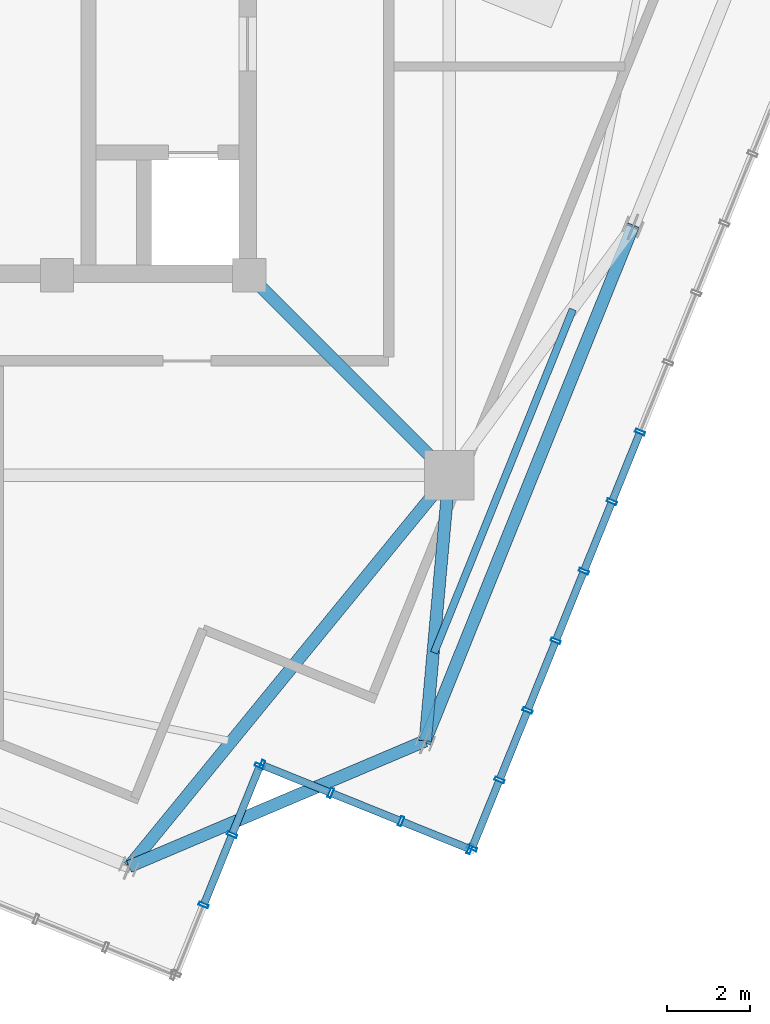
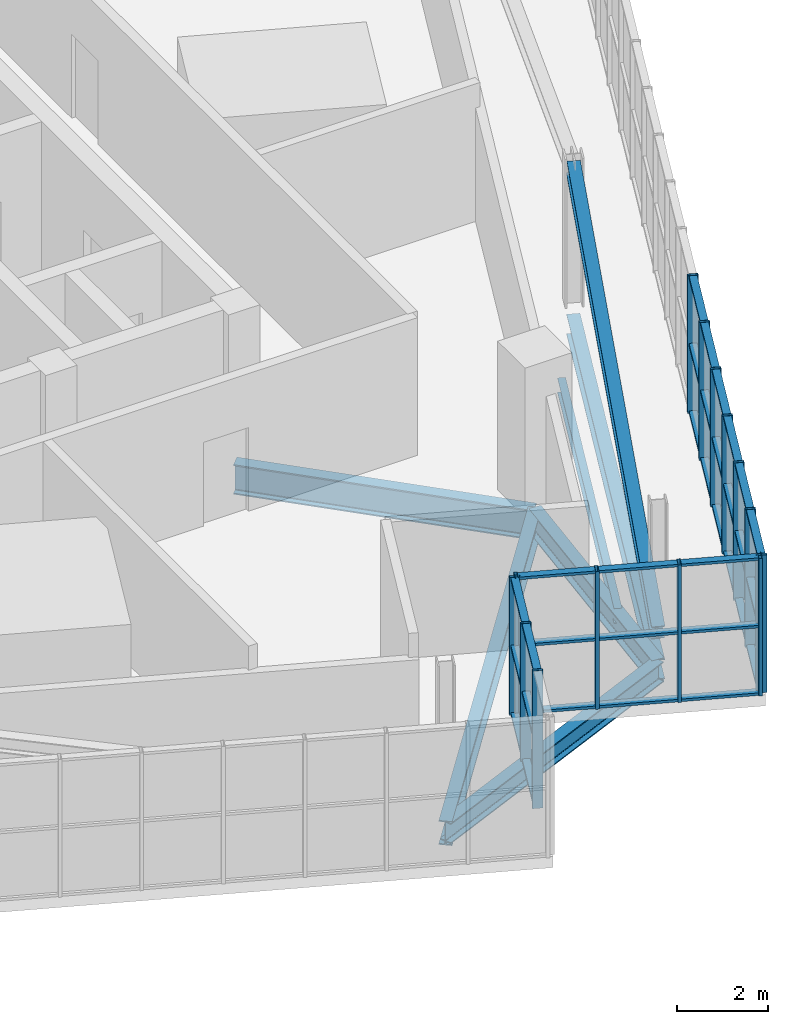
# One storey, part 8 of 26: 48 members, 6 beams, 3 elements without a shape of their own.
"""IFC4 building model written with IfcOpenShell, lengths in metres."""

from ifc_helpers import new_model, si_unit, direction, frame, origin, origin_2d, place, context, subcontext, project, spatial, hollow_rectangle, i_section, extrude, source, transform, mapped, material, layer, layer_set, material_profile, profile_set, type_object, element, aggregate, save


model = new_model("IFC4")

# Units and contexts
model_context = context("Model", 3, precision=1e-05, world=origin(), true_north=direction((0.0, 1.0)))
body_context = subcontext(model_context, "Body", "Model", "MODEL_VIEW")
ifc_project = project(units=[si_unit("LENGTHUNIT", "METRE"), si_unit("AREAUNIT", "SQUARE_METRE"), si_unit("VOLUMEUNIT", "CUBIC_METRE"), si_unit("PLANEANGLEUNIT", "RADIAN"), si_unit("MASSUNIT", "GRAM", prefix="KILO"), si_unit("THERMODYNAMICTEMPERATUREUNIT", "KELVIN")], contexts=[model_context])

# Site, building, storey
site_placement = place(None, origin())
site = spatial("IfcSite", under=ifc_project, at=site_placement, CompositionType="ELEMENT")
building_placement = place(site_placement, origin())
building = spatial("IfcBuilding", under=site, at=building_placement, Name="Kosmvard Interchange Tower", CompositionType="ELEMENT")
storey_placement = place(building_placement, frame((0.0, 0.0, 329.60009765625)))
storey = spatial("IfcBuildingStorey", under=building, at=storey_placement, Name="L81", CompositionType="ELEMENT", Elevation=329.60009765625)

# Beam
ifc_material_1 = material(Name="Steel S355", Category="steel")
ifc_material_profile_1 = material_profile(ifc_material_1, i_section(OverallWidth=0.300048828125, OverallDepth=0.800048828125, WebThickness=0.017578125, FlangeThickness=0.032958984375, FilletRadius=0.027099609375, at=origin_2d()), Name="HEB 800")
ifc_profile_set_1 = profile_set([ifc_material_profile_1], Name="Steel S355")
beam_type_1 = type_object("IfcBeamType", Name="Primary Mega-Frame Girder HEB 800 S355", PredefinedType="BEAM", material=ifc_profile_set_1)
shared_shape_1 = source(origin(), body_context, "Body", "SweptSolid", [
    extrude(i_section(OverallWidth=0.300048828125, OverallDepth=0.800048828125, WebThickness=0.017578125, FlangeThickness=0.032958984375, FilletRadius=0.027099609375, at=origin_2d()), origin(), (0.0, 0.0, 1.0), 6.83203125),
])
beam_1_placement = place(storey_placement, frame((8.25, -8.25, -0.7001953125), z_axis=(0.707106781187, -0.707106781187, 0.0), x_axis=(0.707106781187, 0.707106781187, 0.0)))
element("IfcBeam", 1, at=beam_1_placement, inside=storey, type_object=beam_type_1, Name="L81 Radial Mega-Frame Girder 2", PredefinedType="BEAM", context=body_context, shape_type="MappedRepresentation", body=[
    mapped(shared_shape_1, transform((0.0, 0.0, 0.0), scale=1.0)),
])

# Member
ifc_material_profile_2 = material_profile(ifc_material_1, i_section(OverallWidth=0.300048828125, OverallDepth=0.39990234375, WebThickness=0.013427734375, FlangeThickness=0.02392578125, FilletRadius=0.027099609375, at=origin_2d()), Name="HEB 400")
ifc_profile_set_2 = profile_set([ifc_material_profile_2], Name="Steel S355")
member_type_1 = type_object("IfcMemberType", Name="Lantern Crown Diagrid Brace HEB 400 S355", PredefinedType="BRACE", material=ifc_profile_set_2)
shared_shape_2 = source(origin(), body_context, "Body", "SweptSolid", [
    extrude(i_section(OverallWidth=0.300048828125, OverallDepth=0.39990234375, WebThickness=0.013427734375, FlangeThickness=0.02392578125, FilletRadius=0.027099609375, at=origin_2d()), origin(), (0.0, 0.0, 1.0), 13.78369140625),
])
member_1_placement = place(storey_placement, frame((12.504150390625, -19.50439453125, 0.419921875), z_axis=(0.364162635972, 0.901373372792, 0.234332279859), x_axis=(-0.927189515839, 0.374592580972, 0.0)))
element("IfcMember", 2, at=member_1_placement, inside=storey, type_object=member_type_1, Name="L81 Crown Lantern Diagrid Brace S1", PredefinedType="BRACE", context=body_context, shape_type="MappedRepresentation", body=[
    mapped(shared_shape_2, transform((0.0, 0.0, 0.0), scale=1.0)),
])

# Beams
ifc_material_profile_3 = material_profile(ifc_material_1, i_section(OverallWidth=0.300048828125, OverallDepth=0.550048828125, WebThickness=0.014892578125, FlangeThickness=0.029052734375, FilletRadius=0.027099609375, at=origin_2d()), Name="HEB 550")
ifc_profile_set_3 = profile_set([ifc_material_profile_3], Name="Steel S355")
beam_type_2 = type_object("IfcBeamType", Name="Crown Ring Cap Girder HEB 550 S355", PredefinedType="BEAM", material=ifc_profile_set_3)
shared_shape_3 = source(origin(), body_context, "Body", "SweptSolid", [
    extrude(i_section(OverallWidth=0.300048828125, OverallDepth=0.550048828125, WebThickness=0.014892578125, FlangeThickness=0.029052734375, FilletRadius=0.027099609375, at=origin_2d()), origin(), (0.0, 0.0, 1.0), 13.39990234375),
])
beam_2_placement = place(storey_placement, frame((12.504150390625, -19.50439453125, -0.5751953125), z_axis=(0.374592580972, 0.927189515839, 0.0), x_axis=(-0.927189515839, 0.374592580972, 0.0)))
element("IfcBeam", 3, at=beam_2_placement, inside=storey, type_object=beam_type_2, Name="BM-L81-PR01", PredefinedType="BEAM", context=body_context, shape_type="MappedRepresentation", body=[
    mapped(shared_shape_3, transform((0.0, 0.0, 0.0), scale=1.0)),
])
ifc_material_profile_4 = material_profile(ifc_material_1, i_section(OverallWidth=0.300048828125, OverallDepth=0.64990234375, WebThickness=0.01611328125, FlangeThickness=0.031005859375, FilletRadius=0.027099609375, at=origin_2d()), Name="HEB 650")
ifc_profile_set_4 = profile_set([ifc_material_profile_4], Name="Steel S355")
beam_type_3 = type_object("IfcBeamType", Name="Primary Floor Girder HEB 650 S355", PredefinedType="BEAM", material=ifc_profile_set_4)
shared_shape_4 = source(origin(), body_context, "Body", "SweptSolid", [
    extrude(i_section(OverallWidth=0.300048828125, OverallDepth=0.64990234375, WebThickness=0.01611328125, FlangeThickness=0.031005859375, FilletRadius=0.027099609375, at=origin_2d()), origin(), (0.0, 0.0, 1.0), 6.44921875),
])
beam_3_placement = place(storey_placement, frame((13.0810546875, -13.0810546875, -0.625), z_axis=(-0.089453694068, -0.995990982197, 0.0), x_axis=(0.995990982197, -0.089453694068, 0.0)))
element("IfcBeam", 4, at=beam_3_placement, inside=storey, type_object=beam_type_3, Name="BM-L81-RD01", PredefinedType="BEAM", context=body_context, shape_type="MappedRepresentation", body=[
    mapped(shared_shape_4, transform((0.0, 0.0, 0.0), scale=1.0)),
])
shared_shape_5 = source(origin(), body_context, "Body", "SweptSolid", [
    extrude(i_section(OverallWidth=0.300048828125, OverallDepth=0.550048828125, WebThickness=0.014892578125, FlangeThickness=0.029052734375, FilletRadius=0.027099609375, at=origin_2d()), origin(), (0.0, 0.0, 1.0), 7.778076171875),
])
beam_4_placement = place(storey_placement, frame((5.34423828125, -22.54345703125, -0.5751953125), z_axis=(0.92051132134, 0.39071589075, 0.0), x_axis=(-0.39071589075, 0.92051132134, 0.0)))
element("IfcBeam", 5, at=beam_4_placement, inside=storey, type_object=beam_type_2, Name="BM-L81-PR12", PredefinedType="BEAM", context=body_context, shape_type="MappedRepresentation", body=[
    mapped(shared_shape_5, transform((0.0, 0.0, 0.0), scale=1.0)),
])
shared_shape_6 = source(origin(), body_context, "Body", "SweptSolid", [
    extrude(i_section(OverallWidth=0.300048828125, OverallDepth=0.64990234375, WebThickness=0.01611328125, FlangeThickness=0.031005859375, FilletRadius=0.027099609375, at=origin_2d()), origin(), (0.0, 0.0, 1.0), 12.22265625),
])
beam_5_placement = place(storey_placement, frame((13.0810546875, -13.0810546875, -0.625), z_axis=(-0.632985408079, -0.774163725034, 0.0), x_axis=(0.774163725034, -0.632985408079, 0.0)))
element("IfcBeam", 6, at=beam_5_placement, inside=storey, type_object=beam_type_3, Name="BM-L81-RD12", PredefinedType="BEAM", context=body_context, shape_type="MappedRepresentation", body=[
    mapped(shared_shape_6, transform((0.0, 0.0, 0.0), scale=1.0)),
])
ifc_material_profile_5 = material_profile(ifc_material_1, i_section(OverallWidth=0.179931640625, OverallDepth=0.39990234375, WebThickness=0.008544921875, FlangeThickness=0.013427734375, FilletRadius=0.02099609375, at=origin_2d()), Name="IPE 400")
ifc_profile_set_5 = profile_set([ifc_material_profile_5], Name="Steel S355")
beam_type_4 = type_object("IfcBeamType", Name="Upper-Zone Floor Joist IPE 400 S355", PredefinedType="JOIST", material=ifc_profile_set_5)
shared_shape_7 = source(origin(), body_context, "Body", "SweptSolid", [
    extrude(i_section(OverallWidth=0.179931640625, OverallDepth=0.39990234375, WebThickness=0.008544921875, FlangeThickness=0.013427734375, FilletRadius=0.02099609375, at=origin_2d()), origin(), (0.0, 0.0, 1.0), 8.9521484375),
])
beam_6_placement = place(storey_placement, frame((12.71875, -17.374755859375, -0.5), z_axis=(0.374581187736, 0.927194118723, 0.0), x_axis=(-0.927194118723, 0.374581187736, 0.0)))
element("IfcBeam", 7, at=beam_6_placement, inside=storey, type_object=beam_type_4, Name="BM-L81-FJ01", PredefinedType="JOIST", context=body_context, shape_type="MappedRepresentation", body=[
    mapped(shared_shape_7, transform((0.0, 0.0, 0.0), scale=1.0)),
])

# Curtain wall, members
ifc_material_2 = material(Name="Architectural anodised aluminium", Category="aluminium")
ifc_layer = layer(ifc_material_2, 0.25, Name="Architectural anodised aluminium")
ifc_layer_set = layer_set([ifc_layer], Name="Architectural anodised aluminium")
curtain_wall_type = type_object("IfcCurtainWallType", Name="CW-6 Illuminated Crown Lantern Curtain Wall", PredefinedType="NOTDEFINED", material=ifc_layer_set)
curtain_wall_1_placement = place(storey_placement, origin())
curtain_wall_1 = element("IfcCurtainWall", 8, at=curtain_wall_1_placement, inside=storey, type_object=curtain_wall_type, Name="L81 Crown Lantern Glazing Face 01", PredefinedType="NOTDEFINED")
ifc_material_profile_6 = material_profile(ifc_material_2, hollow_rectangle(XDim=0.239990234375, YDim=0.080078125, WallThickness=0.006103515625, at=origin_2d()), Name="CWM 240x80x6")
ifc_profile_set_6 = profile_set([ifc_material_profile_6], Name="Architectural anodised aluminium")
member_type_2 = type_object("IfcMemberType", Name="Lantern & Observation CW Mullion 240x80 Aluminium", PredefinedType="MULLION", material=ifc_profile_set_6)
shared_shape_8 = source(origin(), body_context, "Body", "SweptSolid", [
    extrude(hollow_rectangle(XDim=0.239990234375, YDim=0.080078125, WallThickness=0.006103515625, at=origin_2d()), origin(), (0.0, 0.0, 1.0), 3.699951171875),
])
member_2_placement = place(storey_placement, frame((13.63525390625, -22.096923828125, 0.0), z_axis=(0.0, 0.0, 1.0), x_axis=(-0.927183858065, 0.374606584758, 0.0)))
member_2 = element("IfcMember", 9, at=member_2_placement, type_object=member_type_2, Name="CW-6 mullion 1", PredefinedType="MULLION", context=body_context, shape_type="MappedRepresentation", body=[
    mapped(shared_shape_8, transform((0.0, 0.0, 0.0), scale=1.0)),
])
member_3_placement = place(storey_placement, frame((14.2998046875, -20.451904296875, 0.0), z_axis=(0.0, 0.0, 1.0), x_axis=(-0.927183858065, 0.374606584758, 0.0)))
member_3 = element("IfcMember", 10, at=member_3_placement, type_object=member_type_2, Name="CW-6 mullion 2", PredefinedType="MULLION", context=body_context, shape_type="MappedRepresentation", body=[
    mapped(shared_shape_8, transform((0.0, 0.0, 0.0), scale=1.0)),
])
member_4_placement = place(storey_placement, frame((14.9794921875, -18.77001953125, 0.0), z_axis=(0.0, 0.0, 1.0), x_axis=(-0.927183858065, 0.374606584758, 0.0)))
member_4 = element("IfcMember", 11, at=member_4_placement, type_object=member_type_2, Name="CW-6 mullion 3", PredefinedType="MULLION", context=body_context, shape_type="MappedRepresentation", body=[
    mapped(shared_shape_8, transform((0.0, 0.0, 0.0), scale=1.0)),
])
member_5_placement = place(storey_placement, frame((15.658935546875, -17.087890625, 0.0), z_axis=(0.0, 0.0, 1.0), x_axis=(-0.927183858065, 0.374606584758, 0.0)))
member_5 = element("IfcMember", 12, at=member_5_placement, type_object=member_type_2, Name="CW-6 mullion 4", PredefinedType="MULLION", context=body_context, shape_type="MappedRepresentation", body=[
    mapped(shared_shape_8, transform((0.0, 0.0, 0.0), scale=1.0)),
])
member_6_placement = place(storey_placement, frame((16.338623046875, -15.40576171875, 0.0), z_axis=(0.0, 0.0, 1.0), x_axis=(-0.927183858065, 0.374606584758, 0.0)))
member_6 = element("IfcMember", 13, at=member_6_placement, type_object=member_type_2, Name="CW-6 mullion 5", PredefinedType="MULLION", context=body_context, shape_type="MappedRepresentation", body=[
    mapped(shared_shape_8, transform((0.0, 0.0, 0.0), scale=1.0)),
])
member_7_placement = place(storey_placement, frame((17.01806640625, -13.723876953125, 0.0), z_axis=(0.0, 0.0, 1.0), x_axis=(-0.927183858065, 0.374606584758, 0.0)))
member_7 = element("IfcMember", 14, at=member_7_placement, type_object=member_type_2, Name="CW-6 mullion 6", PredefinedType="MULLION", context=body_context, shape_type="MappedRepresentation", body=[
    mapped(shared_shape_8, transform((0.0, 0.0, 0.0), scale=1.0)),
])
member_8_placement = place(storey_placement, frame((17.69775390625, -12.041748046875, 0.0), z_axis=(0.0, 0.0, 1.0), x_axis=(-0.927183858065, 0.374606584758, 0.0)))
member_8 = element("IfcMember", 15, at=member_8_placement, type_object=member_type_2, Name="CW-6 mullion 7", PredefinedType="MULLION", context=body_context, shape_type="MappedRepresentation", body=[
    mapped(shared_shape_8, transform((0.0, 0.0, 0.0), scale=1.0)),
])

curtain_wall_2_placement = place(storey_placement, origin())
curtain_wall_2 = element("IfcCurtainWall", 16, at=curtain_wall_2_placement, inside=storey, type_object=curtain_wall_type, Name="L81 Crown Lantern Glazing Face 11", PredefinedType="NOTDEFINED")
member_9_placement = place(storey_placement, frame((7.147216796875, -23.473388671875, 0.0), z_axis=(0.0, 0.0, 1.0), x_axis=(-0.92718386612, 0.374606564822, 0.0)))
member_9 = element("IfcMember", 17, at=member_9_placement, type_object=member_type_2, Name="CW-6 mullion 2", PredefinedType="MULLION", context=body_context, shape_type="MappedRepresentation", body=[
    mapped(shared_shape_8, transform((0.0, 0.0, 0.0), scale=1.0)),
])
member_10_placement = place(storey_placement, frame((7.833984375, -21.7734375, 0.0), z_axis=(0.0, 0.0, 1.0), x_axis=(-0.92718386612, 0.374606564822, 0.0)))
member_10 = element("IfcMember", 18, at=member_10_placement, type_object=member_type_2, Name="CW-6 mullion 3", PredefinedType="MULLION", context=body_context, shape_type="MappedRepresentation", body=[
    mapped(shared_shape_8, transform((0.0, 0.0, 0.0), scale=1.0)),
])
member_11_placement = place(storey_placement, frame((8.505859375, -20.110595703125, 0.0), z_axis=(0.0, 0.0, 1.0), x_axis=(-0.92718386612, 0.374606564822, 0.0)))
member_11 = element("IfcMember", 19, at=member_11_placement, type_object=member_type_2, Name="CW-6 mullion 4", PredefinedType="MULLION", context=body_context, shape_type="MappedRepresentation", body=[
    mapped(shared_shape_8, transform((0.0, 0.0, 0.0), scale=1.0)),
])

curtain_wall_3_placement = place(storey_placement, origin())
curtain_wall_3 = element("IfcCurtainWall", 20, at=curtain_wall_3_placement, inside=storey, type_object=curtain_wall_type, Name="L81 Crown Lantern Glazing Face 12", PredefinedType="NOTDEFINED")
member_12_placement = place(storey_placement, frame((8.557861328125, -20.088623046875, 0.0), z_axis=(0.0, 0.0, 1.0), x_axis=(0.374606501678, 0.927183891631, 0.0)))
member_12 = element("IfcMember", 21, at=member_12_placement, type_object=member_type_2, Name="CW-6 mullion 1", PredefinedType="MULLION", context=body_context, shape_type="MappedRepresentation", body=[
    mapped(shared_shape_8, transform((0.0, 0.0, 0.0), scale=1.0)),
])
member_13_placement = place(storey_placement, frame((10.220458984375, -20.760498046875, 0.0), z_axis=(0.0, 0.0, 1.0), x_axis=(0.374606501678, 0.927183891631, 0.0)))
member_13 = element("IfcMember", 22, at=member_13_placement, type_object=member_type_2, Name="CW-6 mullion 2", PredefinedType="MULLION", context=body_context, shape_type="MappedRepresentation", body=[
    mapped(shared_shape_8, transform((0.0, 0.0, 0.0), scale=1.0)),
])
member_14_placement = place(storey_placement, frame((11.92041015625, -21.447265625, 0.0), z_axis=(0.0, 0.0, 1.0), x_axis=(0.374606501678, 0.927183891631, 0.0)))
member_14 = element("IfcMember", 23, at=member_14_placement, type_object=member_type_2, Name="CW-6 mullion 3", PredefinedType="MULLION", context=body_context, shape_type="MappedRepresentation", body=[
    mapped(shared_shape_8, transform((0.0, 0.0, 0.0), scale=1.0)),
])
member_15_placement = place(storey_placement, frame((13.583251953125, -22.118896484375, 0.0), z_axis=(0.0, 0.0, 1.0), x_axis=(0.374606501678, 0.927183891631, 0.0)))
member_15 = element("IfcMember", 24, at=member_15_placement, type_object=member_type_2, Name="CW-6 mullion 4", PredefinedType="MULLION", context=body_context, shape_type="MappedRepresentation", body=[
    mapped(shared_shape_8, transform((0.0, 0.0, 0.0), scale=1.0)),
])

# Member
ifc_material_profile_7 = material_profile(ifc_material_2, hollow_rectangle(XDim=0.179931640625, YDim=0.070068359375, WallThickness=0.0048828125, at=origin_2d()), Name="CWT 180x70x5")
ifc_profile_set_7 = profile_set([ifc_material_profile_7], Name="Architectural anodised aluminium")
member_type_3 = type_object("IfcMemberType", Name="Heavy Lantern CW Transom 180x70 Aluminium", PredefinedType="USERDEFINED", material=ifc_profile_set_7)
shared_shape_9 = source(origin(), body_context, "Body", "SweptSolid", [
    extrude(hollow_rectangle(XDim=0.179931640625, YDim=0.070068359375, WallThickness=0.0048828125, at=origin_2d()), origin(), (0.0, 0.0, 1.0), 1.694091796875),
])
member_16_placement = place(storey_placement, frame((13.650146484375, -22.059814453125, 0.034912109375), z_axis=(0.374667946298, 0.927159064032, 0.0), x_axis=(-0.927159064032, 0.374667946298, 0.0)))
member_16 = element("IfcMember", 25, at=member_16_placement, type_object=member_type_3, Name="CW-6 transom 1.1", ObjectType="TRANSOM", PredefinedType="USERDEFINED", context=body_context, shape_type="MappedRepresentation", body=[
    mapped(shared_shape_9, transform((0.0, 0.0, 0.0), scale=1.0)),
])

member_17_placement = place(storey_placement, frame((13.650146484375, -22.059814453125, 1.849853515625), z_axis=(0.374667946298, 0.927159064032, 0.0), x_axis=(-0.927159064032, 0.374667946298, 0.0)))
member_17 = element("IfcMember", 26, at=member_17_placement, type_object=member_type_3, Name="CW-6 transom 1.2", ObjectType="TRANSOM", PredefinedType="USERDEFINED", context=body_context, shape_type="MappedRepresentation", body=[
    mapped(shared_shape_9, transform((0.0, 0.0, 0.0), scale=1.0)),
])

member_18_placement = place(storey_placement, frame((13.650146484375, -22.059814453125, 3.664794921875), z_axis=(0.374667946298, 0.927159064032, 0.0), x_axis=(-0.927159064032, 0.374667946298, 0.0)))
member_18 = element("IfcMember", 27, at=member_18_placement, type_object=member_type_3, Name="CW-6 transom 1.3", ObjectType="TRANSOM", PredefinedType="USERDEFINED", context=body_context, shape_type="MappedRepresentation", body=[
    mapped(shared_shape_9, transform((0.0, 0.0, 0.0), scale=1.0)),
])

shared_shape_10 = source(origin(), body_context, "Body", "SweptSolid", [
    extrude(hollow_rectangle(XDim=0.179931640625, YDim=0.070068359375, WallThickness=0.0048828125, at=origin_2d()), origin(), (0.0, 0.0, 1.0), 1.734130859375),
])
member_19_placement = place(storey_placement, frame((14.314697265625, -20.414794921875, 0.034912109375), z_axis=(0.374616671924, 0.927179782522, 0.0), x_axis=(-0.927179782522, 0.374616671924, 0.0)))
member_19 = element("IfcMember", 28, at=member_19_placement, type_object=member_type_3, Name="CW-6 transom 2.1", ObjectType="TRANSOM", PredefinedType="USERDEFINED", context=body_context, shape_type="MappedRepresentation", body=[
    mapped(shared_shape_10, transform((0.0, 0.0, 0.0), scale=1.0)),
])

member_20_placement = place(storey_placement, frame((14.314697265625, -20.414794921875, 1.849853515625), z_axis=(0.374616671924, 0.927179782522, 0.0), x_axis=(-0.927179782522, 0.374616671924, 0.0)))
member_20 = element("IfcMember", 29, at=member_20_placement, type_object=member_type_3, Name="CW-6 transom 2.2", ObjectType="TRANSOM", PredefinedType="USERDEFINED", context=body_context, shape_type="MappedRepresentation", body=[
    mapped(shared_shape_10, transform((0.0, 0.0, 0.0), scale=1.0)),
])

member_21_placement = place(storey_placement, frame((14.314697265625, -20.414794921875, 3.664794921875), z_axis=(0.374616671924, 0.927179782522, 0.0), x_axis=(-0.927179782522, 0.374616671924, 0.0)))
member_21 = element("IfcMember", 30, at=member_21_placement, type_object=member_type_3, Name="CW-6 transom 2.3", ObjectType="TRANSOM", PredefinedType="USERDEFINED", context=body_context, shape_type="MappedRepresentation", body=[
    mapped(shared_shape_10, transform((0.0, 0.0, 0.0), scale=1.0)),
])

member_22_placement = place(storey_placement, frame((14.994384765625, -18.73291015625, 0.034912109375), z_axis=(0.374616671924, 0.927179782522, 0.0), x_axis=(-0.927179782522, 0.374616671924, 0.0)))
member_22 = element("IfcMember", 31, at=member_22_placement, type_object=member_type_3, Name="CW-6 transom 3.1", ObjectType="TRANSOM", PredefinedType="USERDEFINED", context=body_context, shape_type="MappedRepresentation", body=[
    mapped(shared_shape_10, transform((0.0, 0.0, 0.0), scale=1.0)),
])

member_23_placement = place(storey_placement, frame((14.994384765625, -18.73291015625, 1.849853515625), z_axis=(0.374616671924, 0.927179782522, 0.0), x_axis=(-0.927179782522, 0.374616671924, 0.0)))
member_23 = element("IfcMember", 32, at=member_23_placement, type_object=member_type_3, Name="CW-6 transom 3.2", ObjectType="TRANSOM", PredefinedType="USERDEFINED", context=body_context, shape_type="MappedRepresentation", body=[
    mapped(shared_shape_10, transform((0.0, 0.0, 0.0), scale=1.0)),
])

member_24_placement = place(storey_placement, frame((14.994384765625, -18.73291015625, 3.664794921875), z_axis=(0.374616671924, 0.927179782522, 0.0), x_axis=(-0.927179782522, 0.374616671924, 0.0)))
member_24 = element("IfcMember", 33, at=member_24_placement, type_object=member_type_3, Name="CW-6 transom 3.3", ObjectType="TRANSOM", PredefinedType="USERDEFINED", context=body_context, shape_type="MappedRepresentation", body=[
    mapped(shared_shape_10, transform((0.0, 0.0, 0.0), scale=1.0)),
])

member_25_placement = place(storey_placement, frame((15.674072265625, -17.05078125, 0.034912109375), z_axis=(0.374495638732, 0.927228675447, 0.0), x_axis=(-0.927228675447, 0.374495638732, 0.0)))
member_25 = element("IfcMember", 34, at=member_25_placement, type_object=member_type_3, Name="CW-6 transom 4.1", ObjectType="TRANSOM", PredefinedType="USERDEFINED", context=body_context, shape_type="MappedRepresentation", body=[
    mapped(shared_shape_10, transform((0.0, 0.0, 0.0), scale=1.0)),
])

member_26_placement = place(storey_placement, frame((15.674072265625, -17.05078125, 1.849853515625), z_axis=(0.374495638732, 0.927228675447, 0.0), x_axis=(-0.927228675447, 0.374495638732, 0.0)))
member_26 = element("IfcMember", 35, at=member_26_placement, type_object=member_type_3, Name="CW-6 transom 4.2", ObjectType="TRANSOM", PredefinedType="USERDEFINED", context=body_context, shape_type="MappedRepresentation", body=[
    mapped(shared_shape_10, transform((0.0, 0.0, 0.0), scale=1.0)),
])

member_27_placement = place(storey_placement, frame((15.674072265625, -17.05078125, 3.664794921875), z_axis=(0.374495638732, 0.927228675447, 0.0), x_axis=(-0.927228675447, 0.374495638732, 0.0)))
member_27 = element("IfcMember", 36, at=member_27_placement, type_object=member_type_3, Name="CW-6 transom 4.3", ObjectType="TRANSOM", PredefinedType="USERDEFINED", context=body_context, shape_type="MappedRepresentation", body=[
    mapped(shared_shape_10, transform((0.0, 0.0, 0.0), scale=1.0)),
])

member_28_placement = place(storey_placement, frame((16.353515625, -15.368896484375, 0.034912109375), z_axis=(0.374616671924, 0.927179782522, 0.0), x_axis=(-0.927179782522, 0.374616671924, 0.0)))
member_28 = element("IfcMember", 37, at=member_28_placement, type_object=member_type_3, Name="CW-6 transom 5.1", ObjectType="TRANSOM", PredefinedType="USERDEFINED", context=body_context, shape_type="MappedRepresentation", body=[
    mapped(shared_shape_10, transform((0.0, 0.0, 0.0), scale=1.0)),
])

member_29_placement = place(storey_placement, frame((16.353515625, -15.368896484375, 1.849853515625), z_axis=(0.374616671924, 0.927179782522, 0.0), x_axis=(-0.927179782522, 0.374616671924, 0.0)))
member_29 = element("IfcMember", 38, at=member_29_placement, type_object=member_type_3, Name="CW-6 transom 5.2", ObjectType="TRANSOM", PredefinedType="USERDEFINED", context=body_context, shape_type="MappedRepresentation", body=[
    mapped(shared_shape_10, transform((0.0, 0.0, 0.0), scale=1.0)),
])

member_30_placement = place(storey_placement, frame((16.353515625, -15.368896484375, 3.664794921875), z_axis=(0.374616671924, 0.927179782522, 0.0), x_axis=(-0.927179782522, 0.374616671924, 0.0)))
member_30 = element("IfcMember", 39, at=member_30_placement, type_object=member_type_3, Name="CW-6 transom 5.3", ObjectType="TRANSOM", PredefinedType="USERDEFINED", context=body_context, shape_type="MappedRepresentation", body=[
    mapped(shared_shape_10, transform((0.0, 0.0, 0.0), scale=1.0)),
])

member_31_placement = place(storey_placement, frame((17.033203125, -13.686767578125, 0.034912109375), z_axis=(0.374616671924, 0.927179782522, 0.0), x_axis=(-0.927179782522, 0.374616671924, 0.0)))
member_31 = element("IfcMember", 40, at=member_31_placement, type_object=member_type_3, Name="CW-6 transom 6.1", ObjectType="TRANSOM", PredefinedType="USERDEFINED", context=body_context, shape_type="MappedRepresentation", body=[
    mapped(shared_shape_10, transform((0.0, 0.0, 0.0), scale=1.0)),
])

member_32_placement = place(storey_placement, frame((17.033203125, -13.686767578125, 1.849853515625), z_axis=(0.374616671924, 0.927179782522, 0.0), x_axis=(-0.927179782522, 0.374616671924, 0.0)))
member_32 = element("IfcMember", 41, at=member_32_placement, type_object=member_type_3, Name="CW-6 transom 6.2", ObjectType="TRANSOM", PredefinedType="USERDEFINED", context=body_context, shape_type="MappedRepresentation", body=[
    mapped(shared_shape_10, transform((0.0, 0.0, 0.0), scale=1.0)),
])

member_33_placement = place(storey_placement, frame((17.033203125, -13.686767578125, 3.664794921875), z_axis=(0.374616671924, 0.927179782522, 0.0), x_axis=(-0.927179782522, 0.374616671924, 0.0)))
member_33 = element("IfcMember", 42, at=member_33_placement, type_object=member_type_3, Name="CW-6 transom 6.3", ObjectType="TRANSOM", PredefinedType="USERDEFINED", context=body_context, shape_type="MappedRepresentation", body=[
    mapped(shared_shape_10, transform((0.0, 0.0, 0.0), scale=1.0)),
])

aggregate(curtain_wall_1, [member_2, member_3, member_4, member_5, member_6, member_7, member_8, member_16, member_17, member_18, member_19, member_20, member_21, member_22, member_23, member_24, member_25, member_26, member_27, member_28, member_29, member_30, member_31, member_32, member_33])

shared_shape_11 = source(origin(), body_context, "Body", "SweptSolid", [
    extrude(hollow_rectangle(XDim=0.179931640625, YDim=0.070068359375, WallThickness=0.0048828125, at=origin_2d()), origin(), (0.0, 0.0, 1.0), 1.71337890625),
])
member_34_placement = place(storey_placement, frame((7.848876953125, -21.736328125, 0.034912109375), z_axis=(0.374606758599, 0.927183787829, 0.0), x_axis=(-0.927183787829, 0.374606758599, 0.0)))
member_34 = element("IfcMember", 43, at=member_34_placement, type_object=member_type_3, Name="CW-6 transom 3.1", ObjectType="TRANSOM", PredefinedType="USERDEFINED", context=body_context, shape_type="MappedRepresentation", body=[
    mapped(shared_shape_11, transform((0.0, 0.0, 0.0), scale=1.0)),
])

member_35_placement = place(storey_placement, frame((7.848876953125, -21.736328125, 1.849853515625), z_axis=(0.374606758599, 0.927183787829, 0.0), x_axis=(-0.927183787829, 0.374606758599, 0.0)))
member_35 = element("IfcMember", 44, at=member_35_placement, type_object=member_type_3, Name="CW-6 transom 3.2", ObjectType="TRANSOM", PredefinedType="USERDEFINED", context=body_context, shape_type="MappedRepresentation", body=[
    mapped(shared_shape_11, transform((0.0, 0.0, 0.0), scale=1.0)),
])

member_36_placement = place(storey_placement, frame((7.848876953125, -21.736328125, 3.664794921875), z_axis=(0.374606758599, 0.927183787829, 0.0), x_axis=(-0.927183787829, 0.374606758599, 0.0)))
member_36 = element("IfcMember", 45, at=member_36_placement, type_object=member_type_3, Name="CW-6 transom 3.3", ObjectType="TRANSOM", PredefinedType="USERDEFINED", context=body_context, shape_type="MappedRepresentation", body=[
    mapped(shared_shape_11, transform((0.0, 0.0, 0.0), scale=1.0)),
])

member_37_placement = place(storey_placement, frame((8.594970703125, -20.103515625, 0.034912109375), z_axis=(0.927183787829, -0.374606758599, 0.0), x_axis=(0.374606758599, 0.927183787829, 0.0)))
member_37 = element("IfcMember", 46, at=member_37_placement, type_object=member_type_3, Name="CW-6 transom 1.1", ObjectType="TRANSOM", PredefinedType="USERDEFINED", context=body_context, shape_type="MappedRepresentation", body=[
    mapped(shared_shape_11, transform((0.0, 0.0, 0.0), scale=1.0)),
])

member_38_placement = place(storey_placement, frame((8.594970703125, -20.103515625, 1.849853515625), z_axis=(0.927183787829, -0.374606758599, 0.0), x_axis=(0.374606758599, 0.927183787829, 0.0)))
member_38 = element("IfcMember", 47, at=member_38_placement, type_object=member_type_3, Name="CW-6 transom 1.2", ObjectType="TRANSOM", PredefinedType="USERDEFINED", context=body_context, shape_type="MappedRepresentation", body=[
    mapped(shared_shape_11, transform((0.0, 0.0, 0.0), scale=1.0)),
])

member_39_placement = place(storey_placement, frame((8.594970703125, -20.103515625, 3.664794921875), z_axis=(0.927183787829, -0.374606758599, 0.0), x_axis=(0.374606758599, 0.927183787829, 0.0)))
member_39 = element("IfcMember", 48, at=member_39_placement, type_object=member_type_3, Name="CW-6 transom 1.3", ObjectType="TRANSOM", PredefinedType="USERDEFINED", context=body_context, shape_type="MappedRepresentation", body=[
    mapped(shared_shape_11, transform((0.0, 0.0, 0.0), scale=1.0)),
])

member_40_placement = place(storey_placement, frame((11.95751953125, -21.462158203125, 0.034912109375), z_axis=(0.927183787829, -0.374606758599, 0.0), x_axis=(0.374606758599, 0.927183787829, 0.0)))
member_40 = element("IfcMember", 49, at=member_40_placement, type_object=member_type_3, Name="CW-6 transom 3.1", ObjectType="TRANSOM", PredefinedType="USERDEFINED", context=body_context, shape_type="MappedRepresentation", body=[
    mapped(shared_shape_11, transform((0.0, 0.0, 0.0), scale=1.0)),
])

member_41_placement = place(storey_placement, frame((11.95751953125, -21.462158203125, 1.849853515625), z_axis=(0.927183787829, -0.374606758599, 0.0), x_axis=(0.374606758599, 0.927183787829, 0.0)))
member_41 = element("IfcMember", 50, at=member_41_placement, type_object=member_type_3, Name="CW-6 transom 3.2", ObjectType="TRANSOM", PredefinedType="USERDEFINED", context=body_context, shape_type="MappedRepresentation", body=[
    mapped(shared_shape_11, transform((0.0, 0.0, 0.0), scale=1.0)),
])

member_42_placement = place(storey_placement, frame((11.95751953125, -21.462158203125, 3.664794921875), z_axis=(0.927183787829, -0.374606758599, 0.0), x_axis=(0.374606758599, 0.927183787829, 0.0)))
member_42 = element("IfcMember", 51, at=member_42_placement, type_object=member_type_3, Name="CW-6 transom 3.3", ObjectType="TRANSOM", PredefinedType="USERDEFINED", context=body_context, shape_type="MappedRepresentation", body=[
    mapped(shared_shape_11, transform((0.0, 0.0, 0.0), scale=1.0)),
])

shared_shape_12 = source(origin(), body_context, "Body", "SweptSolid", [
    extrude(hollow_rectangle(XDim=0.179931640625, YDim=0.070068359375, WallThickness=0.0048828125, at=origin_2d()), origin(), (0.0, 0.0, 1.0), 1.75341796875),
])
member_43_placement = place(storey_placement, frame((7.162109375, -23.436279296875, 0.034912109375), z_axis=(0.374677135907, 0.927155350429, 0.0), x_axis=(-0.927155350429, 0.374677135907, 0.0)))
member_43 = element("IfcMember", 52, at=member_43_placement, type_object=member_type_3, Name="CW-6 transom 2.1", ObjectType="TRANSOM", PredefinedType="USERDEFINED", context=body_context, shape_type="MappedRepresentation", body=[
    mapped(shared_shape_12, transform((0.0, 0.0, 0.0), scale=1.0)),
])

member_44_placement = place(storey_placement, frame((7.162109375, -23.436279296875, 1.849853515625), z_axis=(0.374677135907, 0.927155350429, 0.0), x_axis=(-0.927155350429, 0.374677135907, 0.0)))
member_44 = element("IfcMember", 53, at=member_44_placement, type_object=member_type_3, Name="CW-6 transom 2.2", ObjectType="TRANSOM", PredefinedType="USERDEFINED", context=body_context, shape_type="MappedRepresentation", body=[
    mapped(shared_shape_12, transform((0.0, 0.0, 0.0), scale=1.0)),
])

member_45_placement = place(storey_placement, frame((7.162109375, -23.436279296875, 3.664794921875), z_axis=(0.374677135907, 0.927155350429, 0.0), x_axis=(-0.927155350429, 0.374677135907, 0.0)))
member_45 = element("IfcMember", 54, at=member_45_placement, type_object=member_type_3, Name="CW-6 transom 2.3", ObjectType="TRANSOM", PredefinedType="USERDEFINED", context=body_context, shape_type="MappedRepresentation", body=[
    mapped(shared_shape_12, transform((0.0, 0.0, 0.0), scale=1.0)),
])

aggregate(curtain_wall_2, [member_9, member_10, member_11, member_43, member_44, member_45, member_34, member_35, member_36])

member_46_placement = place(storey_placement, frame((10.257568359375, -20.775390625, 0.034912109375), z_axis=(0.927203712676, -0.37455743912, 0.0), x_axis=(0.37455743912, 0.927203712676, 0.0)))
member_46 = element("IfcMember", 55, at=member_46_placement, type_object=member_type_3, Name="CW-6 transom 2.1", ObjectType="TRANSOM", PredefinedType="USERDEFINED", context=body_context, shape_type="MappedRepresentation", body=[
    mapped(shared_shape_12, transform((0.0, 0.0, 0.0), scale=1.0)),
])

member_47_placement = place(storey_placement, frame((10.257568359375, -20.775390625, 1.849853515625), z_axis=(0.927203712676, -0.37455743912, 0.0), x_axis=(0.37455743912, 0.927203712676, 0.0)))
member_47 = element("IfcMember", 56, at=member_47_placement, type_object=member_type_3, Name="CW-6 transom 2.2", ObjectType="TRANSOM", PredefinedType="USERDEFINED", context=body_context, shape_type="MappedRepresentation", body=[
    mapped(shared_shape_12, transform((0.0, 0.0, 0.0), scale=1.0)),
])

member_48_placement = place(storey_placement, frame((10.257568359375, -20.775390625, 3.664794921875), z_axis=(0.927203712676, -0.37455743912, 0.0), x_axis=(0.37455743912, 0.927203712676, 0.0)))
member_48 = element("IfcMember", 57, at=member_48_placement, type_object=member_type_3, Name="CW-6 transom 2.3", ObjectType="TRANSOM", PredefinedType="USERDEFINED", context=body_context, shape_type="MappedRepresentation", body=[
    mapped(shared_shape_12, transform((0.0, 0.0, 0.0), scale=1.0)),
])

aggregate(curtain_wall_3, [member_12, member_13, member_14, member_15, member_37, member_38, member_39, member_46, member_47, member_48, member_40, member_41, member_42])

save(model, "model.ifc")
